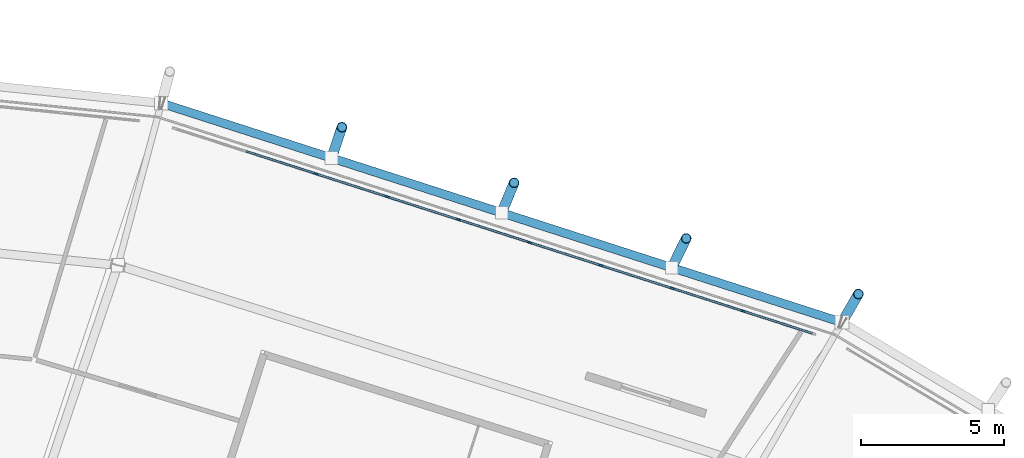
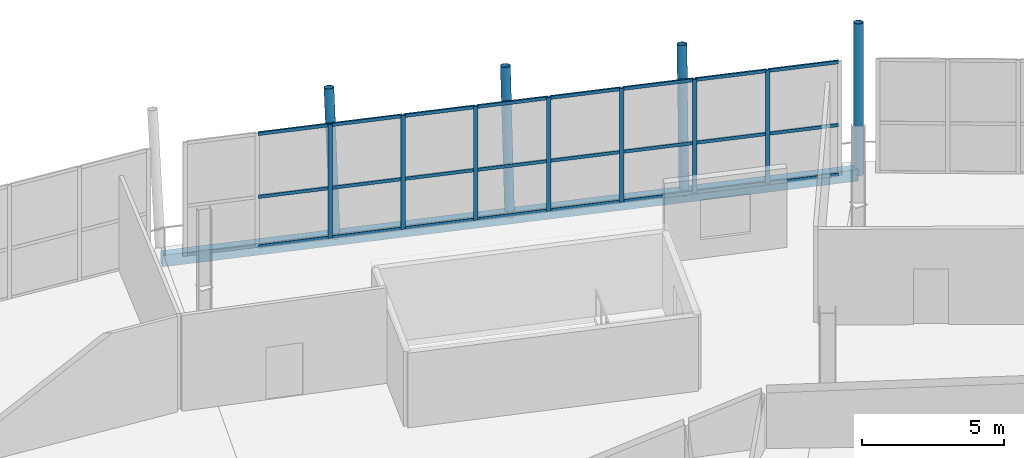
# One storey, part 52 of 99: 35 members, 1 beam, 1 element without a shape of its own.
"""IFC4 building model written with IfcOpenShell, lengths in metres."""

import ifcopenshell
import ifcopenshell.guid

model = None  # the IFC model being written
_history = None  # IfcOwnerHistory: only IFC2X3 demands one
_inside = {}  # id of a spatial element -> (the spatial element, [elements in it])
_under = {}  # id of a project, library or spatial element -> (it, [spatial elements below it])
_declared = {}  # id of a project -> (the project, [libraries it declares])
_typed = {}  # id of a type object -> (the type object, [elements of that type])
_made_of = {}  # id of a material, layer set ... -> (it, [elements and type objects made of it])


def new_model(schema):
    """Start an empty IFC model of exactly this schema.

    Asked for "IFC4X3", IfcOpenShell would pick the latest addendum, in which some entities
    have other attributes; the version numbers below select the first issue.
    IFC2X3 requires an IfcOwnerHistory on every rooted entity: one is made here for all.
    """
    global model, _history
    if schema == "IFC4X3":
        model = ifcopenshell.file(schema_version=(4, 3, 0, 0))
    else:
        model = ifcopenshell.file(schema=schema)
    _inside.clear()
    _under.clear()
    _declared.clear()
    _typed.clear()
    _made_of.clear()
    _history = None
    if model.schema == "IFC2X3":
        org = make("IfcOrganization", Name="unknown")
        user = make(
            "IfcPersonAndOrganization",
            ThePerson=make("IfcPerson", FamilyName="unknown"),
            TheOrganization=org,
        )
        app = make(
            "IfcApplication",
            ApplicationDeveloper=org,
            Version="unknown",
            ApplicationFullName="unknown",
            ApplicationIdentifier="unknown",
        )
        _history = make(
            "IfcOwnerHistory",
            OwningUser=user,
            OwningApplication=app,
            ChangeAction="ADDED",
            CreationDate=0,
        )
    return model


def make(cls, **values):
    """One entity of the class cls with the attributes given. An attribute that is None is left unset."""
    return model.create_entity(
        cls, **{name: value for name, value in values.items() if value is not None}
    )


def rooted(cls, **values):
    """An entity with a GlobalId (a new one), such as an element, a storey or a relation."""
    return make(cls, GlobalId=ifcopenshell.guid.new(), OwnerHistory=_history, **values)


def si_unit(unit_type, name, prefix=None):
    """IfcSIUnit, for example si_unit("LENGTHUNIT", "METRE", prefix="MILLI")."""
    return make("IfcSIUnit", UnitType=unit_type, Prefix=prefix, Name=name)


def assignment(units):
    """IfcUnitAssignment: the units of a project."""
    return None if units is None else make("IfcUnitAssignment", Units=units)


def point(xyz):
    """IfcCartesianPoint."""
    return None if xyz is None else make("IfcCartesianPoint", Coordinates=xyz)


def direction(xyz):
    """IfcDirection."""
    return None if xyz is None else make("IfcDirection", DirectionRatios=xyz)


def frame(location, z_axis=None, x_axis=None):
    """IfcAxis2Placement3D, a coordinate frame: its origin and axes. An axis left out is left unset."""
    return make(
        "IfcAxis2Placement3D",
        Location=point(location),
        Axis=direction(z_axis),
        RefDirection=direction(x_axis),
    )


def frame_2d(location, x_axis=None):
    """IfcAxis2Placement2D, a coordinate frame in the plane: its origin and x axis."""
    return make(
        "IfcAxis2Placement2D", Location=point(location), RefDirection=direction(x_axis)
    )


def origin():
    """The frame at (0, 0, 0) with its axes left unset."""
    return frame((0.0, 0.0, 0.0))


def origin_2d():
    """The frame at (0, 0) in the plane with its x axis left unset."""
    return frame_2d((0.0, 0.0))


def place(relative_to, where):
    """IfcLocalPlacement: puts the frame where relative to a parent placement (None: the world)."""
    return make(
        "IfcLocalPlacement", PlacementRelTo=relative_to, RelativePlacement=where
    )


def context(
    kind, dimensions, precision=None, world=None, true_north=None, identifier=None
):
    """IfcGeometricRepresentationContext, for example the 3D "Model" context."""
    return make(
        "IfcGeometricRepresentationContext",
        ContextIdentifier=identifier,
        ContextType=kind,
        CoordinateSpaceDimension=dimensions,
        Precision=precision,
        WorldCoordinateSystem=world,
        TrueNorth=true_north,
    )


def subcontext(parent, identifier, kind, view, scale=None):
    """IfcGeometricRepresentationSubContext, for example "Body" below "Model"."""
    return make(
        "IfcGeometricRepresentationSubContext",
        ContextIdentifier=identifier,
        ContextType=kind,
        ParentContext=parent,
        TargetScale=scale,
        TargetView=view,
    )


def project(units=None, contexts=None):
    """IfcProject with its units and contexts."""
    return rooted(
        "IfcProject",
        Name="project",
        RepresentationContexts=contexts,
        UnitsInContext=assignment(units),
    )


def spatial(cls, under=None, at=None, **own):
    """A site, building, storey or space (cls), placed at a placement, below another one or the project."""
    s = rooted(cls, ObjectPlacement=at, **own)
    if under is not None:
        _under.setdefault(under.id(), (under, []))[1].append(s)
    return s


def profile(cls, at=None, kind="AREA", **sizes):
    """A parametric profile (cls). Its sizes go by their IFC names, for example OverallWidth=200.0."""
    return make(cls, ProfileType=kind, Position=at, **sizes)


def rectangle(**sizes):
    """IfcRectangleProfileDef."""
    return profile("IfcRectangleProfileDef", **sizes)


def hollow_rectangle(**sizes):
    """IfcRectangleHollowProfileDef."""
    return profile("IfcRectangleHollowProfileDef", **sizes)


def hollow_circle(**sizes):
    """IfcCircleHollowProfileDef."""
    return profile("IfcCircleHollowProfileDef", **sizes)


def extrude(swept, where, along, depth):
    """IfcExtrudedAreaSolid: the profile swept, set in the frame where, extruded along a direction by depth."""
    return make(
        "IfcExtrudedAreaSolid",
        SweptArea=swept,
        Position=where,
        ExtrudedDirection=direction(along),
        Depth=depth,
    )


def shape(context_of_items, identifier, shape_type, items):
    """IfcShapeRepresentation: the items that make up one representation, for example the "Body"."""
    return make(
        "IfcShapeRepresentation",
        ContextOfItems=context_of_items,
        RepresentationIdentifier=identifier,
        RepresentationType=shape_type,
        Items=items,
    )


def material(Name=None, Category=None):
    """IfcMaterial."""
    return make("IfcMaterial", Name=Name, Category=Category)


def material_profile(
    of_material, cross_section, Name=None, Category=None, Priority=None
):
    """IfcMaterialProfile: a cross section and its material."""
    return make(
        "IfcMaterialProfile",
        Name=Name,
        Material=of_material,
        Profile=cross_section,
        Priority=Priority,
        Category=Category,
    )


def profile_set(profiles, Name=None, composite=None):
    """IfcMaterialProfileSet."""
    return make(
        "IfcMaterialProfileSet",
        Name=Name,
        MaterialProfiles=profiles,
        CompositeProfile=composite,
    )


def made_of(thing, what):
    """Note that an element or type object is made of a material, layer set ...; save() writes the relation."""
    if what is not None:
        _made_of.setdefault(what.id(), (what, []))[1].append(thing)
    return thing


def type_object(cls, material=None, **own):
    """A type object (cls), such as IfcWallType, which elements share."""
    return made_of(rooted(cls, **own), material)


def element(
    cls,
    number,
    at=None,
    inside=None,
    cuts=None,
    type_object=None,
    material=None,
    context=None,
    identifier="Body",
    shape_type=None,
    held_by="IfcProductDefinitionShape",
    body=None,
    shapes=None,
    **own,
):
    """One element of the class cls, such as IfcWall. Its Tag is "e" and its number.

    at: its placement. inside: the storey or other place that contains it. cuts: it is an
    opening in that element (IfcRelVoidsElement). A single representation is given by context,
    identifier, shape_type and body (its items); several are given by shapes. held_by: the class
    of the entity that holds the representations. save() writes the other relations.
    """
    e = rooted(cls, Tag="e%d" % number, ObjectPlacement=at, **own)
    if body is not None:
        shapes = [shape(context, identifier, shape_type, body)]
    if shapes is not None:
        e.Representation = make(held_by, Representations=shapes)
    if inside is not None:
        _inside.setdefault(inside.id(), (inside, []))[1].append(e)
    if cuts is not None:
        rooted(
            "IfcRelVoidsElement", RelatingBuildingElement=cuts, RelatedOpeningElement=e
        )
    if type_object is not None:
        _typed.setdefault(type_object.id(), (type_object, []))[1].append(e)
    return made_of(e, material)


def aggregate(whole, parts):
    """IfcRelAggregates: a whole, such as a stair, and the parts it consists of."""
    return rooted("IfcRelAggregates", RelatingObject=whole, RelatedObjects=parts)


def save(model, path):
    """Write the relations noted so far, then the file.

    IfcRelAggregates (storeys below a building ...), IfcRelContainedInSpatialStructure (elements
    in a storey), IfcRelDefinesByType, IfcRelAssociatesMaterial and IfcRelDeclares: one each for
    every whole, place, type object, material and project.
    """
    for whole, parts in _under.values():
        aggregate(whole, parts)
    for where, things in _inside.values():
        rooted(
            "IfcRelContainedInSpatialStructure",
            RelatedElements=things,
            RelatingStructure=where,
        )
    for kind, things in _typed.values():
        rooted("IfcRelDefinesByType", RelatedObjects=things, RelatingType=kind)
    for what, things in _made_of.values():
        rooted("IfcRelAssociatesMaterial", RelatedObjects=things, RelatingMaterial=what)
    for by, libraries in _declared.values():
        rooted("IfcRelDeclares", RelatingContext=by, RelatedDefinitions=libraries)
    model.write(path)


model = new_model("IFC4")

# Units and contexts
model_context = context("Model", 3, precision=1e-05, world=origin(), true_north=direction((0.0, 1.0)))
body_context = subcontext(model_context, "Body", "Model", "MODEL_VIEW")
ifc_project = project(units=[si_unit("LENGTHUNIT", "METRE"), si_unit("AREAUNIT", "SQUARE_METRE"), si_unit("VOLUMEUNIT", "CUBIC_METRE"), si_unit("PLANEANGLEUNIT", "RADIAN"), si_unit("MASSUNIT", "GRAM", prefix="KILO")], contexts=[model_context])

# Site, building, storey
site_placement = place(None, origin())
site = spatial("IfcSite", under=ifc_project, at=site_placement, CompositionType="ELEMENT")
building_placement = place(site_placement, origin())
building = spatial("IfcBuilding", under=site, at=building_placement, Name="Zlatoyarsky Gate Stadium", CompositionType="ELEMENT")
storey_placement = place(building_placement, frame((0.0, 0.0, 26.199951171875)))
storey = spatial("IfcBuildingStorey", under=building, at=storey_placement, Name="L05", CompositionType="ELEMENT", Elevation=26.199951171875)

# Curtain wall, members
ifc_material_1 = material(Name="Thermally broken anodised aluminium curtain wall", Category="aluminium")
curtain_wall_type = type_object("IfcCurtainWallType", Name="UNITISED SKYBOX RING GLAZING L05", PredefinedType="USERDEFINED", material=ifc_material_1)
curtain_wall_placement = place(storey_placement, origin())
curtain_wall = element("IfcCurtainWall", 1, at=curtain_wall_placement, inside=storey, type_object=curtain_wall_type, Name="Curtain wall CW-L05-04", ObjectType="UNITISED GLAZING", PredefinedType="USERDEFINED")
ifc_material_2 = material(Name="Anodised aluminium 6063-T6", Category="aluminium")
ifc_material_profile_1 = material_profile(ifc_material_2, rectangle(XDim=0.06494140625, YDim=0.159912109375, at=origin_2d()), Name="ALU 65X160")
ifc_profile_set_1 = profile_set([ifc_material_profile_1], Name="Anodised aluminium 6063-T6")
member_type_1 = type_object("IfcMemberType", Name="ALUMINIUM MULLION 65X160", PredefinedType="MULLION", material=ifc_profile_set_1)
member_1_placement = place(storey_placement, frame((156.976806640625, 146.972412109375, 0.0), z_axis=(0.0, 0.0, 1.0), x_axis=(-0.305978007283, -0.952038580657, 0.0)))
member_1 = element("IfcMember", 2, at=member_1_placement, type_object=member_type_1, Name="CW-UG5 mullion 2", PredefinedType="MULLION", context=body_context, shape_type="SweptSolid", body=[
    extrude(rectangle(XDim=0.06494140625, YDim=0.159912109375, at=origin_2d()), origin(), (0.0, 0.0, 1.0), 4.880126953125),
])
member_2_placement = place(storey_placement, frame((154.4833984375, 147.77392578125, 0.0), z_axis=(0.0, 0.0, 1.0), x_axis=(-0.305978007283, -0.952038580657, 0.0)))
member_2 = element("IfcMember", 3, at=member_2_placement, type_object=member_type_1, Name="CW-UG5 mullion 3", PredefinedType="MULLION", context=body_context, shape_type="SweptSolid", body=[
    extrude(rectangle(XDim=0.06494140625, YDim=0.159912109375, at=origin_2d()), origin(), (0.0, 0.0, 1.0), 4.880126953125),
])
member_3_placement = place(storey_placement, frame((151.989990234375, 148.5751953125, 0.0), z_axis=(0.0, 0.0, 1.0), x_axis=(-0.305978007283, -0.952038580657, 0.0)))
member_3 = element("IfcMember", 4, at=member_3_placement, type_object=member_type_1, Name="CW-UG5 mullion 4", PredefinedType="MULLION", context=body_context, shape_type="SweptSolid", body=[
    extrude(rectangle(XDim=0.06494140625, YDim=0.159912109375, at=origin_2d()), origin(), (0.0, 0.0, 1.0), 4.880126953125),
])
member_4_placement = place(storey_placement, frame((149.49658203125, 149.376708984375, 0.0), z_axis=(0.0, 0.0, 1.0), x_axis=(-0.305978007283, -0.952038580657, 0.0)))
member_4 = element("IfcMember", 5, at=member_4_placement, type_object=member_type_1, Name="CW-UG5 mullion 5", PredefinedType="MULLION", context=body_context, shape_type="SweptSolid", body=[
    extrude(rectangle(XDim=0.06494140625, YDim=0.159912109375, at=origin_2d()), origin(), (0.0, 0.0, 1.0), 4.880126953125),
])
member_5_placement = place(storey_placement, frame((147.0029296875, 150.177978515625, 0.0), z_axis=(0.0, 0.0, 1.0), x_axis=(-0.305978007283, -0.952038580657, 0.0)))
member_5 = element("IfcMember", 6, at=member_5_placement, type_object=member_type_1, Name="CW-UG5 mullion 6", PredefinedType="MULLION", context=body_context, shape_type="SweptSolid", body=[
    extrude(rectangle(XDim=0.06494140625, YDim=0.159912109375, at=origin_2d()), origin(), (0.0, 0.0, 1.0), 4.880126953125),
])
member_6_placement = place(storey_placement, frame((144.509521484375, 150.979248046875, 0.0), z_axis=(0.0, 0.0, 1.0), x_axis=(-0.305978007283, -0.952038580657, 0.0)))
member_6 = element("IfcMember", 7, at=member_6_placement, type_object=member_type_1, Name="CW-UG5 mullion 7", PredefinedType="MULLION", context=body_context, shape_type="SweptSolid", body=[
    extrude(rectangle(XDim=0.06494140625, YDim=0.159912109375, at=origin_2d()), origin(), (0.0, 0.0, 1.0), 4.880126953125),
])
member_7_placement = place(storey_placement, frame((142.01611328125, 151.78076171875, 0.0), z_axis=(0.0, 0.0, 1.0), x_axis=(-0.305978007283, -0.952038580657, 0.0)))
member_7 = element("IfcMember", 8, at=member_7_placement, type_object=member_type_1, Name="CW-UG5 mullion 8", PredefinedType="MULLION", context=body_context, shape_type="SweptSolid", body=[
    extrude(rectangle(XDim=0.06494140625, YDim=0.159912109375, at=origin_2d()), origin(), (0.0, 0.0, 1.0), 4.880126953125),
])
ifc_material_profile_2 = material_profile(ifc_material_2, rectangle(XDim=0.06494140625, YDim=0.139892578125, at=origin_2d()), Name="ALU 65X140")
ifc_profile_set_2 = profile_set([ifc_material_profile_2], Name="Anodised aluminium 6063-T6")
member_type_2 = type_object("IfcMemberType", Name="ALUMINIUM TRANSOM 65X140", PredefinedType="USERDEFINED", material=ifc_profile_set_2)
member_8_placement = place(storey_placement, frame((159.408447265625, 146.19091796875, 0.032470703125), z_axis=(-0.952017479686, 0.306043654357, 0.0), x_axis=(-0.306043654357, -0.952017479686, 0.0)))
member_8 = element("IfcMember", 9, at=member_8_placement, type_object=member_type_2, Name="CW-UG5 transom 1.1", ObjectType="TRANSOM", PredefinedType="USERDEFINED", context=body_context, shape_type="SweptSolid", body=[
    extrude(rectangle(XDim=0.06494140625, YDim=0.139892578125, at=origin_2d()), origin(), (0.0, 0.0, 1.0), 2.521728515625),
])
member_9_placement = place(storey_placement, frame((159.408447265625, 146.19091796875, 2.150146484375), z_axis=(-0.952017479686, 0.306043654357, 0.0), x_axis=(-0.306043654357, -0.952017479686, 0.0)))
member_9 = element("IfcMember", 10, at=member_9_placement, type_object=member_type_2, Name="CW-UG5 transom 1.2", ObjectType="TRANSOM", PredefinedType="USERDEFINED", context=body_context, shape_type="SweptSolid", body=[
    extrude(rectangle(XDim=0.06494140625, YDim=0.139892578125, at=origin_2d()), origin(), (0.0, 0.0, 1.0), 2.521728515625),
])
member_10_placement = place(storey_placement, frame((159.408447265625, 146.19091796875, 4.84765625), z_axis=(-0.952017479686, 0.306043654357, 0.0), x_axis=(-0.306043654357, -0.952017479686, 0.0)))
member_10 = element("IfcMember", 11, at=member_10_placement, type_object=member_type_2, Name="CW-UG5 transom 1.3", ObjectType="TRANSOM", PredefinedType="USERDEFINED", context=body_context, shape_type="SweptSolid", body=[
    extrude(rectangle(XDim=0.06494140625, YDim=0.139892578125, at=origin_2d()), origin(), (0.0, 0.0, 1.0), 2.521728515625),
])
member_11_placement = place(storey_placement, frame((156.94580078125, 146.982421875, 0.032470703125), z_axis=(-0.952031545133, 0.305999897176, 0.0), x_axis=(-0.305999897176, -0.952031545133, 0.0)))
member_11 = element("IfcMember", 12, at=member_11_placement, type_object=member_type_2, Name="CW-UG5 transom 2.1", ObjectType="TRANSOM", PredefinedType="USERDEFINED", context=body_context, shape_type="SweptSolid", body=[
    extrude(rectangle(XDim=0.06494140625, YDim=0.139892578125, at=origin_2d()), origin(), (0.0, 0.0, 1.0), 2.553955078125),
])
member_12_placement = place(storey_placement, frame((156.94580078125, 146.982421875, 2.150146484375), z_axis=(-0.952031545133, 0.305999897176, 0.0), x_axis=(-0.305999897176, -0.952031545133, 0.0)))
member_12 = element("IfcMember", 13, at=member_12_placement, type_object=member_type_2, Name="CW-UG5 transom 2.2", ObjectType="TRANSOM", PredefinedType="USERDEFINED", context=body_context, shape_type="SweptSolid", body=[
    extrude(rectangle(XDim=0.06494140625, YDim=0.139892578125, at=origin_2d()), origin(), (0.0, 0.0, 1.0), 2.553955078125),
])
member_13_placement = place(storey_placement, frame((156.94580078125, 146.982421875, 4.84765625), z_axis=(-0.952031545133, 0.305999897176, 0.0), x_axis=(-0.305999897176, -0.952031545133, 0.0)))
member_13 = element("IfcMember", 14, at=member_13_placement, type_object=member_type_2, Name="CW-UG5 transom 2.3", ObjectType="TRANSOM", PredefinedType="USERDEFINED", context=body_context, shape_type="SweptSolid", body=[
    extrude(rectangle(XDim=0.06494140625, YDim=0.139892578125, at=origin_2d()), origin(), (0.0, 0.0, 1.0), 2.553955078125),
])
member_14_placement = place(storey_placement, frame((154.452392578125, 147.78369140625, 0.032470703125), z_axis=(-0.952031545133, 0.305999897176, 0.0), x_axis=(-0.305999897176, -0.952031545133, 0.0)))
member_14 = element("IfcMember", 15, at=member_14_placement, type_object=member_type_2, Name="CW-UG5 transom 3.1", ObjectType="TRANSOM", PredefinedType="USERDEFINED", context=body_context, shape_type="SweptSolid", body=[
    extrude(rectangle(XDim=0.06494140625, YDim=0.139892578125, at=origin_2d()), origin(), (0.0, 0.0, 1.0), 2.553955078125),
])
member_15_placement = place(storey_placement, frame((154.452392578125, 147.78369140625, 2.150146484375), z_axis=(-0.952031545133, 0.305999897176, 0.0), x_axis=(-0.305999897176, -0.952031545133, 0.0)))
member_15 = element("IfcMember", 16, at=member_15_placement, type_object=member_type_2, Name="CW-UG5 transom 3.2", ObjectType="TRANSOM", PredefinedType="USERDEFINED", context=body_context, shape_type="SweptSolid", body=[
    extrude(rectangle(XDim=0.06494140625, YDim=0.139892578125, at=origin_2d()), origin(), (0.0, 0.0, 1.0), 2.553955078125),
])
member_16_placement = place(storey_placement, frame((154.452392578125, 147.78369140625, 4.84765625), z_axis=(-0.952031545133, 0.305999897176, 0.0), x_axis=(-0.305999897176, -0.952031545133, 0.0)))
member_16 = element("IfcMember", 17, at=member_16_placement, type_object=member_type_2, Name="CW-UG5 transom 3.3", ObjectType="TRANSOM", PredefinedType="USERDEFINED", context=body_context, shape_type="SweptSolid", body=[
    extrude(rectangle(XDim=0.06494140625, YDim=0.139892578125, at=origin_2d()), origin(), (0.0, 0.0, 1.0), 2.553955078125),
])
member_17_placement = place(storey_placement, frame((151.958984375, 148.585205078125, 0.032470703125), z_axis=(-0.952040495048, 0.305972050667, 0.0), x_axis=(-0.305972050667, -0.952040495048, 0.0)))
member_17 = element("IfcMember", 18, at=member_17_placement, type_object=member_type_2, Name="CW-UG5 transom 4.1", ObjectType="TRANSOM", PredefinedType="USERDEFINED", context=body_context, shape_type="SweptSolid", body=[
    extrude(rectangle(XDim=0.06494140625, YDim=0.139892578125, at=origin_2d()), origin(), (0.0, 0.0, 1.0), 2.55419921875),
])
member_18_placement = place(storey_placement, frame((151.958984375, 148.585205078125, 2.150146484375), z_axis=(-0.952040495048, 0.305972050667, 0.0), x_axis=(-0.305972050667, -0.952040495048, 0.0)))
member_18 = element("IfcMember", 19, at=member_18_placement, type_object=member_type_2, Name="CW-UG5 transom 4.2", ObjectType="TRANSOM", PredefinedType="USERDEFINED", context=body_context, shape_type="SweptSolid", body=[
    extrude(rectangle(XDim=0.06494140625, YDim=0.139892578125, at=origin_2d()), origin(), (0.0, 0.0, 1.0), 2.55419921875),
])
member_19_placement = place(storey_placement, frame((151.958984375, 148.585205078125, 4.84765625), z_axis=(-0.952040495048, 0.305972050667, 0.0), x_axis=(-0.305972050667, -0.952040495048, 0.0)))
member_19 = element("IfcMember", 20, at=member_19_placement, type_object=member_type_2, Name="CW-UG5 transom 4.3", ObjectType="TRANSOM", PredefinedType="USERDEFINED", context=body_context, shape_type="SweptSolid", body=[
    extrude(rectangle(XDim=0.06494140625, YDim=0.139892578125, at=origin_2d()), origin(), (0.0, 0.0, 1.0), 2.55419921875),
])
member_20_placement = place(storey_placement, frame((149.465576171875, 149.386474609375, 0.032470703125), z_axis=(-0.952040495048, 0.305972050667, 0.0), x_axis=(-0.305972050667, -0.952040495048, 0.0)))
member_20 = element("IfcMember", 21, at=member_20_placement, type_object=member_type_2, Name="CW-UG5 transom 5.1", ObjectType="TRANSOM", PredefinedType="USERDEFINED", context=body_context, shape_type="SweptSolid", body=[
    extrude(rectangle(XDim=0.06494140625, YDim=0.139892578125, at=origin_2d()), origin(), (0.0, 0.0, 1.0), 2.55419921875),
])
member_21_placement = place(storey_placement, frame((149.465576171875, 149.386474609375, 2.150146484375), z_axis=(-0.952040495048, 0.305972050667, 0.0), x_axis=(-0.305972050667, -0.952040495048, 0.0)))
member_21 = element("IfcMember", 22, at=member_21_placement, type_object=member_type_2, Name="CW-UG5 transom 5.2", ObjectType="TRANSOM", PredefinedType="USERDEFINED", context=body_context, shape_type="SweptSolid", body=[
    extrude(rectangle(XDim=0.06494140625, YDim=0.139892578125, at=origin_2d()), origin(), (0.0, 0.0, 1.0), 2.55419921875),
])
member_22_placement = place(storey_placement, frame((149.465576171875, 149.386474609375, 4.84765625), z_axis=(-0.952040495048, 0.305972050667, 0.0), x_axis=(-0.305972050667, -0.952040495048, 0.0)))
member_22 = element("IfcMember", 23, at=member_22_placement, type_object=member_type_2, Name="CW-UG5 transom 5.3", ObjectType="TRANSOM", PredefinedType="USERDEFINED", context=body_context, shape_type="SweptSolid", body=[
    extrude(rectangle(XDim=0.06494140625, YDim=0.139892578125, at=origin_2d()), origin(), (0.0, 0.0, 1.0), 2.55419921875),
])
member_23_placement = place(storey_placement, frame((146.97216796875, 150.18798828125, 0.032470703125), z_axis=(-0.952040495048, 0.305972050667, 0.0), x_axis=(-0.305972050667, -0.952040495048, 0.0)))
member_23 = element("IfcMember", 24, at=member_23_placement, type_object=member_type_2, Name="CW-UG5 transom 6.1", ObjectType="TRANSOM", PredefinedType="USERDEFINED", context=body_context, shape_type="SweptSolid", body=[
    extrude(rectangle(XDim=0.06494140625, YDim=0.139892578125, at=origin_2d()), origin(), (0.0, 0.0, 1.0), 2.55419921875),
])
member_24_placement = place(storey_placement, frame((146.97216796875, 150.18798828125, 2.150146484375), z_axis=(-0.952040495048, 0.305972050667, 0.0), x_axis=(-0.305972050667, -0.952040495048, 0.0)))
member_24 = element("IfcMember", 25, at=member_24_placement, type_object=member_type_2, Name="CW-UG5 transom 6.2", ObjectType="TRANSOM", PredefinedType="USERDEFINED", context=body_context, shape_type="SweptSolid", body=[
    extrude(rectangle(XDim=0.06494140625, YDim=0.139892578125, at=origin_2d()), origin(), (0.0, 0.0, 1.0), 2.55419921875),
])
member_25_placement = place(storey_placement, frame((146.97216796875, 150.18798828125, 4.84765625), z_axis=(-0.952040495048, 0.305972050667, 0.0), x_axis=(-0.305972050667, -0.952040495048, 0.0)))
member_25 = element("IfcMember", 26, at=member_25_placement, type_object=member_type_2, Name="CW-UG5 transom 6.3", ObjectType="TRANSOM", PredefinedType="USERDEFINED", context=body_context, shape_type="SweptSolid", body=[
    extrude(rectangle(XDim=0.06494140625, YDim=0.139892578125, at=origin_2d()), origin(), (0.0, 0.0, 1.0), 2.55419921875),
])
member_26_placement = place(storey_placement, frame((144.478515625, 150.9892578125, 0.032470703125), z_axis=(-0.952031545133, 0.305999897176, 0.0), x_axis=(-0.305999897176, -0.952031545133, 0.0)))
member_26 = element("IfcMember", 27, at=member_26_placement, type_object=member_type_2, Name="CW-UG5 transom 7.1", ObjectType="TRANSOM", PredefinedType="USERDEFINED", context=body_context, shape_type="SweptSolid", body=[
    extrude(rectangle(XDim=0.06494140625, YDim=0.139892578125, at=origin_2d()), origin(), (0.0, 0.0, 1.0), 2.553955078125),
])
member_27_placement = place(storey_placement, frame((144.478515625, 150.9892578125, 2.150146484375), z_axis=(-0.952031545133, 0.305999897176, 0.0), x_axis=(-0.305999897176, -0.952031545133, 0.0)))
member_27 = element("IfcMember", 28, at=member_27_placement, type_object=member_type_2, Name="CW-UG5 transom 7.2", ObjectType="TRANSOM", PredefinedType="USERDEFINED", context=body_context, shape_type="SweptSolid", body=[
    extrude(rectangle(XDim=0.06494140625, YDim=0.139892578125, at=origin_2d()), origin(), (0.0, 0.0, 1.0), 2.553955078125),
])
member_28_placement = place(storey_placement, frame((144.478515625, 150.9892578125, 4.84765625), z_axis=(-0.952031545133, 0.305999897176, 0.0), x_axis=(-0.305999897176, -0.952031545133, 0.0)))
member_28 = element("IfcMember", 29, at=member_28_placement, type_object=member_type_2, Name="CW-UG5 transom 7.3", ObjectType="TRANSOM", PredefinedType="USERDEFINED", context=body_context, shape_type="SweptSolid", body=[
    extrude(rectangle(XDim=0.06494140625, YDim=0.139892578125, at=origin_2d()), origin(), (0.0, 0.0, 1.0), 2.553955078125),
])
member_29_placement = place(storey_placement, frame((141.985107421875, 151.790771484375, 0.032470703125), z_axis=(-0.952031545133, 0.305999897176, 0.0), x_axis=(-0.305999897176, -0.952031545133, 0.0)))
member_29 = element("IfcMember", 30, at=member_29_placement, type_object=member_type_2, Name="CW-UG5 transom 8.1", ObjectType="TRANSOM", PredefinedType="USERDEFINED", context=body_context, shape_type="SweptSolid", body=[
    extrude(rectangle(XDim=0.06494140625, YDim=0.139892578125, at=origin_2d()), origin(), (0.0, 0.0, 1.0), 2.553955078125),
])
member_30_placement = place(storey_placement, frame((141.985107421875, 151.790771484375, 2.150146484375), z_axis=(-0.952031545133, 0.305999897176, 0.0), x_axis=(-0.305999897176, -0.952031545133, 0.0)))
member_30 = element("IfcMember", 31, at=member_30_placement, type_object=member_type_2, Name="CW-UG5 transom 8.2", ObjectType="TRANSOM", PredefinedType="USERDEFINED", context=body_context, shape_type="SweptSolid", body=[
    extrude(rectangle(XDim=0.06494140625, YDim=0.139892578125, at=origin_2d()), origin(), (0.0, 0.0, 1.0), 2.553955078125),
])
member_31_placement = place(storey_placement, frame((141.985107421875, 151.790771484375, 4.84765625), z_axis=(-0.952031545133, 0.305999897176, 0.0), x_axis=(-0.305999897176, -0.952031545133, 0.0)))
member_31 = element("IfcMember", 32, at=member_31_placement, type_object=member_type_2, Name="CW-UG5 transom 8.3", ObjectType="TRANSOM", PredefinedType="USERDEFINED", context=body_context, shape_type="SweptSolid", body=[
    extrude(rectangle(XDim=0.06494140625, YDim=0.139892578125, at=origin_2d()), origin(), (0.0, 0.0, 1.0), 2.553955078125),
])
aggregate(curtain_wall, [member_1, member_2, member_3, member_4, member_5, member_6, member_7, member_8, member_9, member_10, member_11, member_12, member_13, member_14, member_15, member_16, member_17, member_18, member_19, member_20, member_21, member_22, member_23, member_24, member_25, member_26, member_27, member_28, member_29, member_30, member_31])

# Members
ifc_material_3 = material(Name="Steel S355", Category="steel")
ifc_material_profile_3 = material_profile(ifc_material_3, hollow_circle(Radius=0.177734375, WallThickness=0.02001953125, at=origin_2d()), Name="CHS 355.6X20")
ifc_profile_set_3 = profile_set([ifc_material_profile_3], Name="Steel S355")
member_type_3 = type_object("IfcMemberType", Name="STEEL LEANING RIB RING STRUT CHS 355.6X20", PredefinedType="STRUT", material=ifc_profile_set_3)
member_32_placement = place(storey_placement, frame((160.439208984375, 146.578369140625, -0.56005859375), z_axis=(0.098666025445, 0.170926105253, 0.98033121034), x_axis=(-0.866065348708, 0.499930806979, 0.0)))
element("IfcMember", 33, at=member_32_placement, inside=storey, type_object=member_type_3, Name="Upper leaning rib ring strut 04", PredefinedType="STRUT", context=body_context, shape_type="SweptSolid", body=[
    extrude(hollow_circle(Radius=0.177734375, WallThickness=0.02001953125, at=origin_2d()), origin(), (0.0, 0.0, 1.0), 5.82470703125),
])
member_33_placement = place(storey_placement, frame((154.477294921875, 148.498291015625, -0.510009765625), z_axis=(0.087521210893, 0.177410145366, 0.980237562005), x_axis=(-0.896808146126, 0.442419652641, 0.0)))
element("IfcMember", 34, at=member_33_placement, inside=storey, type_object=member_type_3, Name="Outward-leaning bowl louvre fin rib L05 04-1", PredefinedType="STRUT", context=body_context, shape_type="SweptSolid", body=[
    extrude(hollow_circle(Radius=0.177734375, WallThickness=0.02001953125, at=origin_2d()), origin(), (0.0, 0.0, 1.0), 5.774169921875),
])
member_34_placement = place(storey_placement, frame((148.515380859375, 150.41845703125, -0.510009765625), z_axis=(0.075520190109, 0.182373225051, 0.980324797029), x_axis=(-0.923917630863, 0.382591441855, 0.0)))
element("IfcMember", 35, at=member_34_placement, inside=storey, type_object=member_type_3, Name="Outward-leaning bowl louvre fin rib L05 04-2", PredefinedType="STRUT", context=body_context, shape_type="SweptSolid", body=[
    extrude(hollow_circle(Radius=0.177734375, WallThickness=0.02001953125, at=origin_2d()), origin(), (0.0, 0.0, 1.0), 5.773681640625),
])
member_35_placement = place(storey_placement, frame((142.553466796875, 152.33837890625, -0.510009765625), z_axis=(0.063505816911, 0.18734638797, 0.980238920944), x_axis=(-0.947068082299, 0.32103278258, 0.0)))
element("IfcMember", 36, at=member_35_placement, inside=storey, type_object=member_type_3, Name="Outward-leaning bowl louvre fin rib L05 04-3", PredefinedType="STRUT", context=body_context, shape_type="SweptSolid", body=[
    extrude(hollow_circle(Radius=0.177734375, WallThickness=0.02001953125, at=origin_2d()), origin(), (0.0, 0.0, 1.0), 5.774169921875),
])

# Beam
ifc_material_profile_4 = material_profile(ifc_material_3, hollow_rectangle(XDim=0.300048828125, YDim=0.5, WallThickness=0.02001953125, at=origin_2d()), Name="RHS 500X300X20")
ifc_profile_set_4 = profile_set([ifc_material_profile_4], Name="Steel S355")
beam_type = type_object("IfcBeamType", Name="STEEL LOUVRE CARRIER SPANDREL RHS 500X300X20", PredefinedType="SPANDREL", material=ifc_profile_set_4)
beam_placement = place(storey_placement, frame((160.420166015625, 146.58447265625, -0.510009765625), z_axis=(-0.951854958659, 0.306548752528, 0.0), x_axis=(-0.306548752528, -0.951854958659, 0.0)))
element("IfcBeam", 37, at=beam_placement, inside=storey, type_object=beam_type, Name="Beam SP-RHS500 BM-L05-SPD-04", PredefinedType="SPANDREL", context=body_context, shape_type="SweptSolid", body=[
    extrude(hollow_rectangle(XDim=0.300048828125, YDim=0.5, WallThickness=0.02001953125, at=origin_2d()), origin(), (0.0, 0.0, 1.0), 25.013916015625),
])

save(model, "model.ifc")
